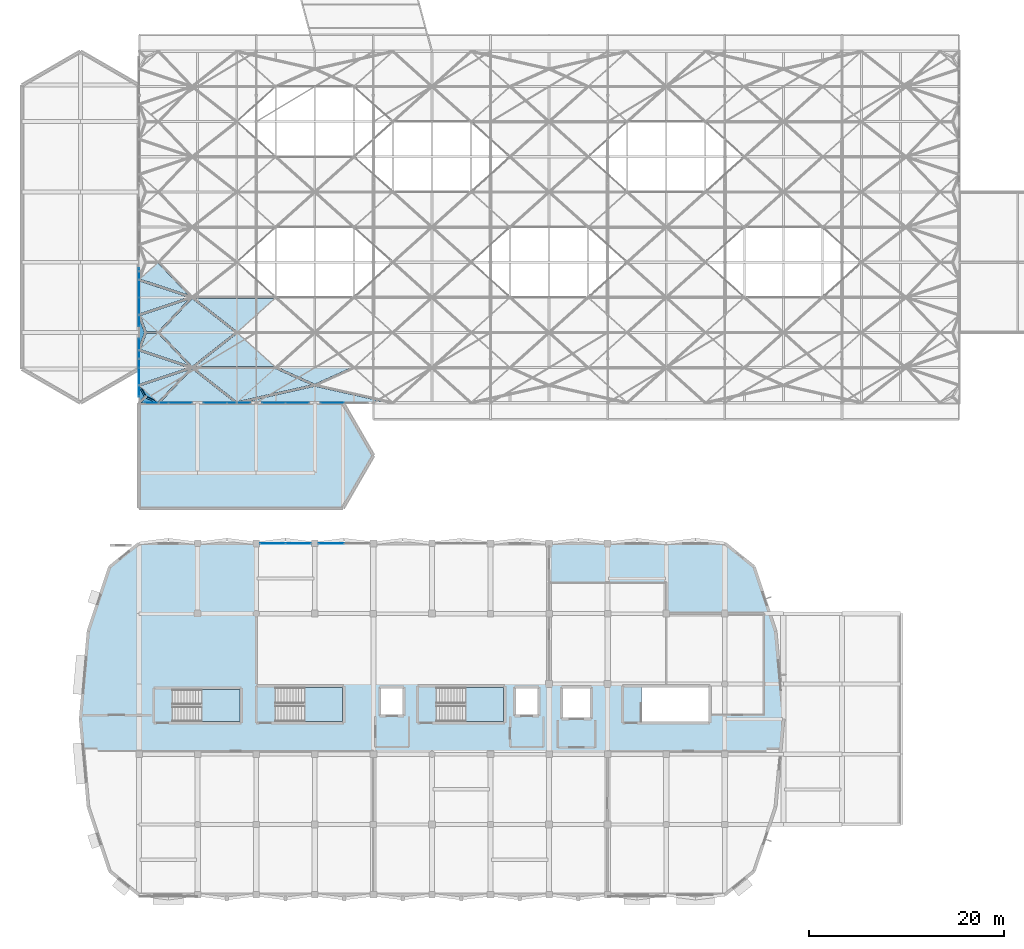
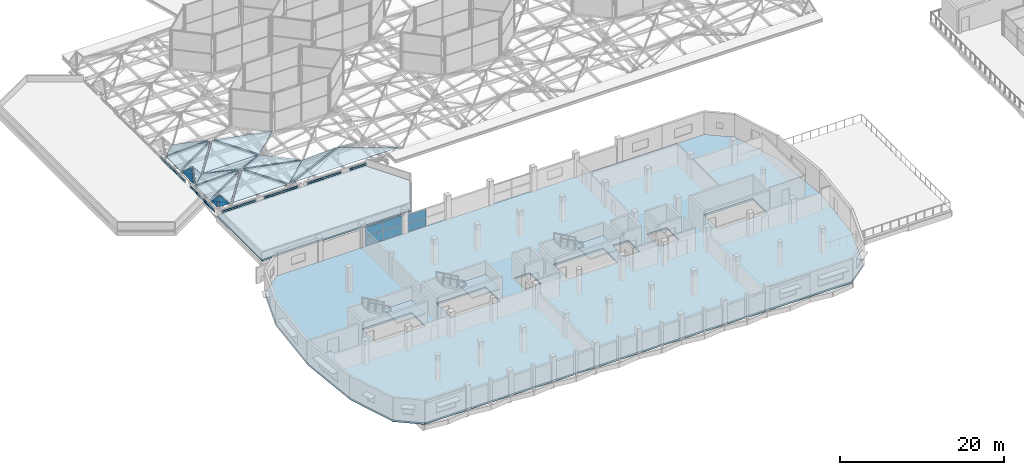
# One storey, part 209 of 239: 28 plates, 26 slabs, 11 elements without a shape of their own.
"""IFC4 building model written with IfcOpenShell, lengths in metres."""

from ifc_helpers import new_model, si_unit, direction, frame, origin, origin_2d, place, context, subcontext, project, spatial, polyline, rectangle, outline, extrude, material, layer, layer_set, type_object, element, aggregate, save


model = new_model("IFC4")

# Units and contexts
model_context = context("Model", 3, precision=1e-05, world=origin(), true_north=direction((0.0, 1.0)))
body_context = subcontext(model_context, "Body", "Model", "MODEL_VIEW")
ifc_project = project(units=[si_unit("LENGTHUNIT", "METRE"), si_unit("AREAUNIT", "SQUARE_METRE"), si_unit("VOLUMEUNIT", "CUBIC_METRE"), si_unit("PLANEANGLEUNIT", "RADIAN"), si_unit("MASSUNIT", "GRAM", prefix="KILO")], contexts=[model_context])

# Site, building, storey
site_placement = place(None, origin())
site = spatial("IfcSite", under=ifc_project, at=site_placement, CompositionType="ELEMENT")
building_placement = place(site_placement, origin())
building = spatial("IfcBuilding", under=site, at=building_placement, Name="Dunvalen Ferry Terminal", CompositionType="ELEMENT")
storey_placement = place(building_placement, frame((0.0, 0.0, 9.840087890625)))
storey = spatial("IfcBuildingStorey", under=building, at=storey_placement, Name="L02", CompositionType="ELEMENT", Elevation=9.840087890625)

# Curtain wall, plates
ifc_material_1 = material(Name="Anodised marine aluminium and solar-control glazing", Category="aluminium")
ifc_layer_1 = layer(ifc_material_1, 0.219970703125, Name="Anodised marine aluminium and solar-control glazing")
ifc_layer_set_1 = layer_set([ifc_layer_1], Name="Anodised marine aluminium and solar-control glazing")
curtain_wall_type_1 = type_object("IfcCurtainWallType", Name="ENV-CW-SYS-04", PredefinedType="NOTDEFINED", material=ifc_layer_set_1)
curtain_wall_1_placement = place(storey_placement, origin())
curtain_wall_1 = element("IfcCurtainWall", 1, at=curtain_wall_1_placement, inside=storey, type_object=curtain_wall_type_1, Name="L02 Curtain Wall CW-V1W-CLR-01", PredefinedType="NOTDEFINED")
ifc_material_2 = material(Name="Low-E solar-control laminated double glazing", Category="glass")
ifc_layer_2 = layer(ifc_material_2, 0.031982421875, Name="Low-E solar-control laminated double glazing")
ifc_layer_set_2 = layer_set([ifc_layer_2], Name="Low-E solar-control laminated double glazing")
plate_type = type_object("IfcPlateType", Name="ENV-CW-PNL-2", PredefinedType="CURTAIN_PANEL", material=ifc_layer_set_2)
plate_1_placement = place(storey_placement, frame((12.0, 52.4951171875, 0.2998046875), z_axis=(0.0, 0.0, 1.0), x_axis=(0.0, 1.0, 0.0)))
plate_1 = element("IfcPlate", 2, at=plate_1_placement, type_object=plate_type, Name="CW-04 panel 1.1", PredefinedType="CURTAIN_PANEL", context=body_context, shape_type="SweptSolid", body=[
    extrude(rectangle(XDim=2.949951171875, YDim=0.031982421875, at=origin_2d()), origin(), (0.0, 0.0, 1.0), 0.179931640625),
])
plate_2_placement = place(storey_placement, frame((12.0, 52.4951171875, 0.5400390625), z_axis=(0.0, 0.0, 1.0), x_axis=(0.0, 1.0, 0.0)))
plate_2 = element("IfcPlate", 3, at=plate_2_placement, type_object=plate_type, Name="CW-04 panel 1.2", PredefinedType="CURTAIN_PANEL", context=body_context, shape_type="SweptSolid", body=[
    extrude(rectangle(XDim=2.949951171875, YDim=0.031982421875, at=origin_2d()), origin(), (0.0, 0.0, 1.0), 0.179931640625),
])
plate_3_placement = place(storey_placement, frame((12.0, 55.5048828125, 0.2998046875), z_axis=(0.0, 0.0, 1.0), x_axis=(0.0, 1.0, 0.0)))
plate_3 = element("IfcPlate", 4, at=plate_3_placement, type_object=plate_type, Name="CW-04 panel 2.1", PredefinedType="CURTAIN_PANEL", context=body_context, shape_type="SweptSolid", body=[
    extrude(rectangle(XDim=2.949951171875, YDim=0.031982421875, at=origin_2d()), origin(), (0.0, 0.0, 1.0), 0.179931640625),
])
plate_4_placement = place(storey_placement, frame((12.0, 55.5048828125, 0.5400390625), z_axis=(0.0, 0.0, 1.0), x_axis=(0.0, 1.0, 0.0)))
plate_4 = element("IfcPlate", 5, at=plate_4_placement, type_object=plate_type, Name="CW-04 panel 2.2", PredefinedType="CURTAIN_PANEL", context=body_context, shape_type="SweptSolid", body=[
    extrude(rectangle(XDim=2.949951171875, YDim=0.031982421875, at=origin_2d()), origin(), (0.0, 0.0, 1.0), 0.179931640625),
])
aggregate(curtain_wall_1, [plate_1, plate_2, plate_3, plate_4])

curtain_wall_2_placement = place(storey_placement, origin())
curtain_wall_2 = element("IfcCurtainWall", 6, at=curtain_wall_2_placement, inside=storey, type_object=curtain_wall_type_1, Name="L02 Curtain Wall CW-V1W-CLR-02", PredefinedType="NOTDEFINED")
plate_5_placement = place(storey_placement, frame((12.0, 59.695068359375, 0.2998046875), z_axis=(0.0, 0.0, 1.0), x_axis=(0.0, 1.0, 0.0)))
plate_5 = element("IfcPlate", 7, at=plate_5_placement, type_object=plate_type, Name="CW-04 panel 1.1", PredefinedType="CURTAIN_PANEL", context=body_context, shape_type="SweptSolid", body=[
    extrude(rectangle(XDim=2.949951171875, YDim=0.031982421875, at=origin_2d()), origin(), (0.0, 0.0, 1.0), 0.179931640625),
])
plate_6_placement = place(storey_placement, frame((12.0, 59.695068359375, 0.5400390625), z_axis=(0.0, 0.0, 1.0), x_axis=(0.0, 1.0, 0.0)))
plate_6 = element("IfcPlate", 8, at=plate_6_placement, type_object=plate_type, Name="CW-04 panel 1.2", PredefinedType="CURTAIN_PANEL", context=body_context, shape_type="SweptSolid", body=[
    extrude(rectangle(XDim=2.949951171875, YDim=0.031982421875, at=origin_2d()), origin(), (0.0, 0.0, 1.0), 0.179931640625),
])
plate_7_placement = place(storey_placement, frame((12.0, 62.705078125, 0.2998046875), z_axis=(0.0, 0.0, 1.0), x_axis=(0.0, 1.0, 0.0)))
plate_7 = element("IfcPlate", 9, at=plate_7_placement, type_object=plate_type, Name="CW-04 panel 2.1", PredefinedType="CURTAIN_PANEL", context=body_context, shape_type="SweptSolid", body=[
    extrude(rectangle(XDim=2.949951171875, YDim=0.031982421875, at=origin_2d()), origin(), (0.0, 0.0, 1.0), 0.179931640625),
])
plate_8_placement = place(storey_placement, frame((12.0, 62.705078125, 0.5400390625), z_axis=(0.0, 0.0, 1.0), x_axis=(0.0, 1.0, 0.0)))
plate_8 = element("IfcPlate", 10, at=plate_8_placement, type_object=plate_type, Name="CW-04 panel 2.2", PredefinedType="CURTAIN_PANEL", context=body_context, shape_type="SweptSolid", body=[
    extrude(rectangle(XDim=2.949951171875, YDim=0.031982421875, at=origin_2d()), origin(), (0.0, 0.0, 1.0), 0.179931640625),
])
aggregate(curtain_wall_2, [plate_5, plate_6, plate_7, plate_8])

ifc_layer_3 = layer(ifc_material_1, 0.219970703125, Name="Anodised marine aluminium and solar-control glazing")
ifc_layer_set_3 = layer_set([ifc_layer_3], Name="Anodised marine aluminium and solar-control glazing")
curtain_wall_type_2 = type_object("IfcCurtainWallType", Name="ENV-CW-SYS-02", PredefinedType="NOTDEFINED", material=ifc_layer_set_3)
curtain_wall_3_placement = place(storey_placement, origin())
curtain_wall_3 = element("IfcCurtainWall", 11, at=curtain_wall_3_placement, inside=storey, type_object=curtain_wall_type_2, Name="L02 Curtain Wall CW-V1SW-CLR-01", PredefinedType="NOTDEFINED")
plate_9_placement = place(storey_placement, frame((13.794921875, 50.39990234375, 0.2998046875), z_axis=(0.0, 0.0, 1.0), x_axis=(1.0, 0.0, 0.0)))
plate_9 = element("IfcPlate", 12, at=plate_9_placement, type_object=plate_type, Name="CW-02 panel 1.1", PredefinedType="CURTAIN_PANEL", context=body_context, shape_type="SweptSolid", body=[
    extrude(rectangle(XDim=2.35009765625, YDim=0.031982421875, at=origin_2d()), origin(), (0.0, 0.0, 1.0), 0.179931640625),
])
plate_10_placement = place(storey_placement, frame((13.794921875, 50.39990234375, 0.5400390625), z_axis=(0.0, 0.0, 1.0), x_axis=(1.0, 0.0, 0.0)))
plate_10 = element("IfcPlate", 13, at=plate_10_placement, type_object=plate_type, Name="CW-02 panel 1.2", PredefinedType="CURTAIN_PANEL", context=body_context, shape_type="SweptSolid", body=[
    extrude(rectangle(XDim=2.35009765625, YDim=0.031982421875, at=origin_2d()), origin(), (0.0, 0.0, 1.0), 0.179931640625),
])
plate_11_placement = place(storey_placement, frame((16.205078125, 50.39990234375, 0.2998046875), z_axis=(0.0, 0.0, 1.0), x_axis=(1.0, 0.0, 0.0)))
plate_11 = element("IfcPlate", 14, at=plate_11_placement, type_object=plate_type, Name="CW-02 panel 2.1", PredefinedType="CURTAIN_PANEL", context=body_context, shape_type="SweptSolid", body=[
    extrude(rectangle(XDim=2.35009765625, YDim=0.031982421875, at=origin_2d()), origin(), (0.0, 0.0, 1.0), 0.179931640625),
])
plate_12_placement = place(storey_placement, frame((16.205078125, 50.39990234375, 0.5400390625), z_axis=(0.0, 0.0, 1.0), x_axis=(1.0, 0.0, 0.0)))
plate_12 = element("IfcPlate", 15, at=plate_12_placement, type_object=plate_type, Name="CW-02 panel 2.2", PredefinedType="CURTAIN_PANEL", context=body_context, shape_type="SweptSolid", body=[
    extrude(rectangle(XDim=2.35009765625, YDim=0.031982421875, at=origin_2d()), origin(), (0.0, 0.0, 1.0), 0.179931640625),
])
aggregate(curtain_wall_3, [plate_9, plate_10, plate_11, plate_12])

curtain_wall_4_placement = place(storey_placement, origin())
curtain_wall_4 = element("IfcCurtainWall", 16, at=curtain_wall_4_placement, inside=storey, type_object=curtain_wall_type_2, Name="L02 Curtain Wall CW-V1SW-CLR-02", PredefinedType="NOTDEFINED")
plate_13_placement = place(storey_placement, frame((19.794921875, 50.39990234375, 0.2998046875), z_axis=(0.0, 0.0, 1.0), x_axis=(1.0, 0.0, 0.0)))
plate_13 = element("IfcPlate", 17, at=plate_13_placement, type_object=plate_type, Name="CW-02 panel 1.1", PredefinedType="CURTAIN_PANEL", context=body_context, shape_type="SweptSolid", body=[
    extrude(rectangle(XDim=2.35009765625, YDim=0.031982421875, at=origin_2d()), origin(), (0.0, 0.0, 1.0), 0.179931640625),
])
plate_14_placement = place(storey_placement, frame((19.794921875, 50.39990234375, 0.5400390625), z_axis=(0.0, 0.0, 1.0), x_axis=(1.0, 0.0, 0.0)))
plate_14 = element("IfcPlate", 18, at=plate_14_placement, type_object=plate_type, Name="CW-02 panel 1.2", PredefinedType="CURTAIN_PANEL", context=body_context, shape_type="SweptSolid", body=[
    extrude(rectangle(XDim=2.35009765625, YDim=0.031982421875, at=origin_2d()), origin(), (0.0, 0.0, 1.0), 0.179931640625),
])
plate_15_placement = place(storey_placement, frame((22.205078125, 50.39990234375, 0.2998046875), z_axis=(0.0, 0.0, 1.0), x_axis=(1.0, 0.0, 0.0)))
plate_15 = element("IfcPlate", 19, at=plate_15_placement, type_object=plate_type, Name="CW-02 panel 2.1", PredefinedType="CURTAIN_PANEL", context=body_context, shape_type="SweptSolid", body=[
    extrude(rectangle(XDim=2.35009765625, YDim=0.031982421875, at=origin_2d()), origin(), (0.0, 0.0, 1.0), 0.179931640625),
])
plate_16_placement = place(storey_placement, frame((22.205078125, 50.39990234375, 0.5400390625), z_axis=(0.0, 0.0, 1.0), x_axis=(1.0, 0.0, 0.0)))
plate_16 = element("IfcPlate", 20, at=plate_16_placement, type_object=plate_type, Name="CW-02 panel 2.2", PredefinedType="CURTAIN_PANEL", context=body_context, shape_type="SweptSolid", body=[
    extrude(rectangle(XDim=2.35009765625, YDim=0.031982421875, at=origin_2d()), origin(), (0.0, 0.0, 1.0), 0.179931640625),
])
aggregate(curtain_wall_4, [plate_13, plate_14, plate_15, plate_16])

curtain_wall_5_placement = place(storey_placement, origin())
curtain_wall_5 = element("IfcCurtainWall", 21, at=curtain_wall_5_placement, inside=storey, type_object=curtain_wall_type_2, Name="L02 Curtain Wall CW-V1SW-CLR-03", PredefinedType="NOTDEFINED")
plate_17_placement = place(storey_placement, frame((25.794921875, 50.39990234375, 0.2998046875), z_axis=(0.0, 0.0, 1.0), x_axis=(1.0, 0.0, 0.0)))
plate_17 = element("IfcPlate", 22, at=plate_17_placement, type_object=plate_type, Name="CW-02 panel 1.1", PredefinedType="CURTAIN_PANEL", context=body_context, shape_type="SweptSolid", body=[
    extrude(rectangle(XDim=2.35009765625, YDim=0.031982421875, at=origin_2d()), origin(), (0.0, 0.0, 1.0), 0.179931640625),
])
plate_18_placement = place(storey_placement, frame((25.794921875, 50.39990234375, 0.5400390625), z_axis=(0.0, 0.0, 1.0), x_axis=(1.0, 0.0, 0.0)))
plate_18 = element("IfcPlate", 23, at=plate_18_placement, type_object=plate_type, Name="CW-02 panel 1.2", PredefinedType="CURTAIN_PANEL", context=body_context, shape_type="SweptSolid", body=[
    extrude(rectangle(XDim=2.35009765625, YDim=0.031982421875, at=origin_2d()), origin(), (0.0, 0.0, 1.0), 0.179931640625),
])
plate_19_placement = place(storey_placement, frame((28.205078125, 50.39990234375, 0.2998046875), z_axis=(0.0, 0.0, 1.0), x_axis=(1.0, 0.0, 0.0)))
plate_19 = element("IfcPlate", 24, at=plate_19_placement, type_object=plate_type, Name="CW-02 panel 2.1", PredefinedType="CURTAIN_PANEL", context=body_context, shape_type="SweptSolid", body=[
    extrude(rectangle(XDim=2.35009765625, YDim=0.031982421875, at=origin_2d()), origin(), (0.0, 0.0, 1.0), 0.179931640625),
])
plate_20_placement = place(storey_placement, frame((28.205078125, 50.39990234375, 0.5400390625), z_axis=(0.0, 0.0, 1.0), x_axis=(1.0, 0.0, 0.0)))
plate_20 = element("IfcPlate", 25, at=plate_20_placement, type_object=plate_type, Name="CW-02 panel 2.2", PredefinedType="CURTAIN_PANEL", context=body_context, shape_type="SweptSolid", body=[
    extrude(rectangle(XDim=2.35009765625, YDim=0.031982421875, at=origin_2d()), origin(), (0.0, 0.0, 1.0), 0.179931640625),
])
aggregate(curtain_wall_5, [plate_17, plate_18, plate_19, plate_20])

curtain_wall_6_placement = place(storey_placement, origin())
curtain_wall_6 = element("IfcCurtainWall", 26, at=curtain_wall_6_placement, inside=storey, type_object=curtain_wall_type_2, Name="L02 Curtain Wall CW-V1SW-CLR-04", PredefinedType="NOTDEFINED")
plate_21_placement = place(storey_placement, frame((31.794921875, 50.39990234375, 0.2998046875), z_axis=(0.0, 0.0, 1.0), x_axis=(1.0, 0.0, 0.0)))
plate_21 = element("IfcPlate", 27, at=plate_21_placement, type_object=plate_type, Name="CW-02 panel 1.1", PredefinedType="CURTAIN_PANEL", context=body_context, shape_type="SweptSolid", body=[
    extrude(rectangle(XDim=2.35009765625, YDim=0.031982421875, at=origin_2d()), origin(), (0.0, 0.0, 1.0), 0.179931640625),
])
plate_22_placement = place(storey_placement, frame((31.794921875, 50.39990234375, 0.5400390625), z_axis=(0.0, 0.0, 1.0), x_axis=(1.0, 0.0, 0.0)))
plate_22 = element("IfcPlate", 28, at=plate_22_placement, type_object=plate_type, Name="CW-02 panel 1.2", PredefinedType="CURTAIN_PANEL", context=body_context, shape_type="SweptSolid", body=[
    extrude(rectangle(XDim=2.35009765625, YDim=0.031982421875, at=origin_2d()), origin(), (0.0, 0.0, 1.0), 0.179931640625),
])
aggregate(curtain_wall_6, [plate_21, plate_22])

ifc_layer_4 = layer(ifc_material_1, 0.14990234375, Name="Anodised marine aluminium and solar-control glazing")
ifc_layer_set_4 = layer_set([ifc_layer_4], Name="Anodised marine aluminium and solar-control glazing")
curtain_wall_type_3 = type_object("IfcCurtainWallType", Name="ENV-CW-SYS-11", PredefinedType="NOTDEFINED", material=ifc_layer_set_4)
curtain_wall_7_placement = place(storey_placement, origin())
curtain_wall_7 = element("IfcCurtainWall", 29, at=curtain_wall_7_placement, inside=storey, type_object=curtain_wall_type_3, Name="L02 Curtain Wall CW-V5CORE-L02-7-6", PredefinedType="NOTDEFINED")
plate_23_placement = place(storey_placement, frame((31.69384765625, 36.0, 0.054931640625), z_axis=(0.0, 0.0, 1.0), x_axis=(-1.0, 0.0, 0.0)))
plate_23 = element("IfcPlate", 30, at=plate_23_placement, type_object=plate_type, Name="CW-11 panel 2.1", PredefinedType="CURTAIN_PANEL", context=body_context, shape_type="SweptSolid", body=[
    extrude(rectangle(XDim=2.5576171875, YDim=0.031982421875, at=origin_2d()), origin(), (0.0, 0.0, 1.0), 1.25244140625),
])
plate_24_placement = place(storey_placement, frame((31.69384765625, 36.0, 1.362548828125), z_axis=(0.0, 0.0, 1.0), x_axis=(-1.0, 0.0, 0.0)))
plate_24 = element("IfcPlate", 31, at=plate_24_placement, type_object=plate_type, Name="CW-11 panel 2.2", PredefinedType="CURTAIN_PANEL", context=body_context, shape_type="SweptSolid", body=[
    extrude(rectangle(XDim=2.5576171875, YDim=0.031982421875, at=origin_2d()), origin(), (0.0, 0.0, 1.0), 1.25244140625),
])
aggregate(curtain_wall_7, [plate_23, plate_24])

curtain_wall_8_placement = place(storey_placement, origin())
curtain_wall_8 = element("IfcCurtainWall", 32, at=curtain_wall_8_placement, inside=storey, type_object=curtain_wall_type_3, Name="L02 Curtain Wall CW-V5CORE-L02-7-7", PredefinedType="NOTDEFINED")
plate_25_placement = place(storey_placement, frame((28.30615234375, 36.0, 0.054931640625), z_axis=(0.0, 0.0, 1.0), x_axis=(-1.0, 0.0, 0.0)))
plate_25 = element("IfcPlate", 33, at=plate_25_placement, type_object=plate_type, Name="CW-11 panel 1.1", PredefinedType="CURTAIN_PANEL", context=body_context, shape_type="SweptSolid", body=[
    extrude(rectangle(XDim=2.5576171875, YDim=0.031982421875, at=origin_2d()), origin(), (0.0, 0.0, 1.0), 1.3525390625),
])
plate_26_placement = place(storey_placement, frame((28.30615234375, 36.0, 1.46240234375), z_axis=(0.0, 0.0, 1.0), x_axis=(-1.0, 0.0, 0.0)))
plate_26 = element("IfcPlate", 34, at=plate_26_placement, type_object=plate_type, Name="CW-11 panel 1.2", PredefinedType="CURTAIN_PANEL", context=body_context, shape_type="SweptSolid", body=[
    extrude(rectangle(XDim=2.5576171875, YDim=0.031982421875, at=origin_2d()), origin(), (0.0, 0.0, 1.0), 1.3525390625),
])
plate_27_placement = place(storey_placement, frame((25.69384765625, 36.0, 0.054931640625), z_axis=(0.0, 0.0, 1.0), x_axis=(-1.0, 0.0, 0.0)))
plate_27 = element("IfcPlate", 35, at=plate_27_placement, type_object=plate_type, Name="CW-11 panel 2.1", PredefinedType="CURTAIN_PANEL", context=body_context, shape_type="SweptSolid", body=[
    extrude(rectangle(XDim=2.5576171875, YDim=0.031982421875, at=origin_2d()), origin(), (0.0, 0.0, 1.0), 1.3525390625),
])
plate_28_placement = place(storey_placement, frame((25.69384765625, 36.0, 1.46240234375), z_axis=(0.0, 0.0, 1.0), x_axis=(-1.0, 0.0, 0.0)))
plate_28 = element("IfcPlate", 36, at=plate_28_placement, type_object=plate_type, Name="CW-11 panel 2.2", PredefinedType="CURTAIN_PANEL", context=body_context, shape_type="SweptSolid", body=[
    extrude(rectangle(XDim=2.5576171875, YDim=0.031982421875, at=origin_2d()), origin(), (0.0, 0.0, 1.0), 1.3525390625),
])
aggregate(curtain_wall_8, [plate_25, plate_26, plate_27, plate_28])

# Stair, slab
ifc_material_3 = material(Name="Concrete C35/45", Category="concrete")
stair_type_1 = type_object("IfcStairType", Name="INT-ST-DLG-06", PredefinedType="HALF_TURN_STAIR", material=ifc_material_3)
stair_1_placement = place(storey_placement, origin())
stair_1 = element("IfcStair", 37, at=stair_1_placement, inside=storey, type_object=stair_type_1, Name="L02 Protected Escape Stair 1", PredefinedType="HALF_TURN_STAIR")
ifc_layer_5 = layer(ifc_material_3, 0.199951171875, Name="Concrete C35/45")
ifc_layer_set_5 = layer_set([ifc_layer_5], Name="Concrete C35/45")
slab_type_1 = type_object("IfcSlabType", Name="INT-SLB-LND200", PredefinedType="LANDING", material=ifc_layer_set_5)
slab_1_placement = place(storey_placement, frame((0.0, 0.0, 1.669921875)))
slab_1 = element("IfcSlab", 38, at=slab_1_placement, type_object=slab_type_1, Name="ST1 landing 1", PredefinedType="LANDING", context=body_context, shape_type="SweptSolid", body=[
    extrude(outline(polyline([(28.949951171875, 17.75), (32.85009765625, 17.75), (32.85009765625, 21.25), (28.949951171875, 21.25), (28.949951171875, 17.75)])), origin(), (0.0, 0.0, 1.0), 0.199951171875),
])
aggregate(stair_1, [slab_1])

stair_2_placement = place(storey_placement, origin())
stair_2 = element("IfcStair", 39, at=stair_2_placement, inside=storey, type_object=stair_type_1, Name="L02 Protected Escape Stair 2", PredefinedType="HALF_TURN_STAIR")
slab_2_placement = place(storey_placement, frame((0.0, 0.0, 1.669921875)))
slab_2 = element("IfcSlab", 40, at=slab_2_placement, type_object=slab_type_1, Name="ST2 landing 1", PredefinedType="LANDING", context=body_context, shape_type="SweptSolid", body=[
    extrude(outline(polyline([(45.449951171875, 17.75), (49.35009765625, 17.75), (49.35009765625, 21.25), (45.449951171875, 21.25), (45.449951171875, 17.75)])), origin(), (0.0, 0.0, 1.0), 0.199951171875),
])
aggregate(stair_2, [slab_2])

stair_type_2 = type_object("IfcStairType", Name="INT-ST-DLG-03", PredefinedType="HALF_TURN_STAIR", material=ifc_material_3)
stair_3_placement = place(storey_placement, origin())
stair_3 = element("IfcStair", 41, at=stair_3_placement, inside=storey, type_object=stair_type_2, Name="L02 Protected Escape Stair 5", PredefinedType="HALF_TURN_STAIR")
slab_3_placement = place(storey_placement, frame((0.0, 0.0, 1.669921875)))
slab_3 = element("IfcSlab", 42, at=slab_3_placement, type_object=slab_type_1, Name="ST5 landing 1", PredefinedType="LANDING", context=body_context, shape_type="SweptSolid", body=[
    extrude(outline(polyline([(18.39990234375, 17.75), (22.35009765625, 17.75), (22.35009765625, 21.050048828125), (18.39990234375, 21.050048828125), (18.39990234375, 17.75)])), origin(), (0.0, 0.0, 1.0), 0.199951171875),
])
aggregate(stair_3, [slab_3])

# Slabs
ifc_material_4 = material(Name="Precast concrete C40/50 - Cerulean Sea Marine Enamel", Category="concrete")
ifc_layer_6 = layer(ifc_material_4, 0.179931640625, Name="Precast concrete C40/50 - Cerulean Sea Marine Enamel")
ifc_layer_set_6 = layer_set([ifc_layer_6], Name="Precast concrete C40/50 - Cerulean Sea Marine Enamel")
slab_type_2 = type_object("IfcSlabType", Name="STR-ROOF-HEX-CERULEAN", PredefinedType="ROOF", material=ifc_layer_set_6)
slab_4_placement = place(storey_placement, frame((12.169921875, 55.952880859375, 1.39697265625), z_axis=(0.590858891675, -0.656478676698, 0.468957905541), x_axis=(0.743278336005, 0.668982298141, 0.0)))
element("IfcSlab", 43, at=slab_4_placement, inside=storey, type_object=slab_type_2, Name="HEX-02 Sea-Roof Pyramid Facet 1", PredefinedType="ROOF", context=body_context, shape_type="SweptSolid", body=[
    extrude(outline(polyline([(0.0, 0.0), (2.3035222744793176, 1.1102230246251565e-16), (1.4546316358488256, 1.629224882080702), (0.0, 0.0)])), origin(), (0.0, 0.0, -1.0), 0.179931640625),
])
slab_5_placement = place(storey_placement, frame((13.882080078125, 57.7060546875, 1.39697265625), z_axis=(0.590858891675, 0.656478676698, 0.468957905541), x_axis=(-0.743278336005, 0.668982298141, 0.0)))
element("IfcSlab", 44, at=slab_5_placement, inside=storey, type_object=slab_type_2, Name="HEX-02 Sea-Roof Pyramid Facet 2", PredefinedType="ROOF", context=body_context, shape_type="SweptSolid", body=[
    extrude(outline(polyline([(0.0, 0.0), (2.3035222744793176, -1.1102230246251565e-16), (0.8488906386304923, 1.629224882080702), (0.0, 0.0)])), origin(), (0.0, 0.0, -1.0), 0.179931640625),
])
slab_6_placement = place(storey_placement, frame((12.0, 59.094970703125, 1.39697265625), z_axis=(-0.929404827064, 0.0, 0.3690618748), x_axis=(0.0, -1.0, 0.0)))
element("IfcSlab", 45, at=slab_6_placement, inside=storey, type_object=slab_type_2, Name="HEX-02 Sea-Roof Pyramid Facet 3", PredefinedType="ROOF", context=body_context, shape_type="SweptSolid", body=[
    extrude(outline(polyline([(0.0, 0.0), (2.989990234375, 0.0), (1.494873046875, 1.5009815858795355), (0.0, 0.0)])), origin(), (0.0, 0.0, -1.0), 0.179931640625),
])
slab_7_placement = place(storey_placement, frame((12.0, 62.887939453125, 1.39697265625), z_axis=(-0.295652877219, 0.0, 0.955295439219), x_axis=(0.0, -1.0, 0.0)))
element("IfcSlab", 46, at=slab_7_placement, inside=storey, type_object=slab_type_2, Name="HEX-08 Sea-Roof Pyramid Facet 1", PredefinedType="ROOF", context=body_context, shape_type="SweptSolid", body=[
    extrude(outline(polyline([(0.0, 0.0), (3.3759765625, 0.0), (1.68798828125, 5.330331127498515), (0.0, 0.0)])), origin(), (0.0, 0.0, -1.0), 0.179931640625),
])
slab_8_placement = place(storey_placement, frame((12.091064453125, 59.318115234375, 1.39697265625), z_axis=(-0.214282195465, -0.238038395585, 0.947322998208), x_axis=(0.743220180998, -0.669046906097, 0.0)))
element("IfcSlab", 47, at=slab_8_placement, inside=storey, type_object=slab_type_2, Name="HEX-08 Sea-Roof Pyramid Facet 2", PredefinedType="ROOF", context=body_context, shape_type="SweptSolid", body=[
    extrude(outline(polyline([(0.0, 0.0), (2.4620348466828865, -2.220446049250313e-16), (2.5897755974063705, 4.801557563065545), (0.0, 0.0)])), origin(), (0.0, 0.0, -1.0), 0.179931640625),
])
slab_9_placement = place(storey_placement, frame((14.14599609375, 57.60009765625, 1.39697265625), z_axis=(0.0, -0.422857435306, 0.906196220146), x_axis=(1.0, 0.0, 0.0)))
element("IfcSlab", 48, at=slab_9_placement, inside=storey, type_object=slab_type_2, Name="HEX-08 Sea-Roof Pyramid Facet 3", PredefinedType="ROOF", context=body_context, shape_type="SweptSolid", body=[
    extrude(outline(polyline([(0.0, 0.0), (7.68310546875, 0.0), (3.29296875, 3.8146121474878703), (0.0, 0.0)])), origin(), (0.0, 0.0, -1.0), 0.179931640625),
])
slab_10_placement = place(storey_placement, frame((22.080078125, 57.672119140625, 1.39697265625), z_axis=(0.188105839848, -0.209002015122, 0.959653245027), x_axis=(0.743287026378, 0.668972642504, 0.0)))
element("IfcSlab", 49, at=slab_10_placement, inside=storey, type_object=slab_type_2, Name="HEX-08 Sea-Roof Pyramid Facet 4", PredefinedType="ROOF", context=body_context, shape_type="SweptSolid", body=[
    extrude(outline(polyline([(0.0, 0.0), (5.115119487088382, 4.440892098500626e-16), (-0.9404195925568297, 5.679240761704702), (0.0, 0.0)])), origin(), (0.0, 0.0, -1.0), 0.179931640625),
])
slab_11_placement = place(storey_placement, frame((13.9208984375, 64.72900390625, 1.39697265625), z_axis=(-0.214272720285, 0.238063154245, 0.947318919864), x_axis=(-0.743269490538, -0.66899212584, 0.0)))
element("IfcSlab", 50, at=slab_11_placement, inside=storey, type_object=slab_type_2, Name="HEX-08 Sea-Roof Pyramid Facet 7", PredefinedType="ROOF", context=body_context, shape_type="SweptSolid", body=[
    extrude(outline(polyline([(0.0, 0.0), (2.461871511839899, 0.0), (-0.1282393313089241, 4.801376729288834), (0.0, 0.0)])), origin(), (0.0, 0.0, -1.0), 0.179931640625),
])
slab_12_placement = place(storey_placement, frame((22.48291015625, 50.39990234375, 1.39697265625), z_axis=(0.0, -0.682419756781, 0.730960515729), x_axis=(1.0, 0.0, 0.0)))
element("IfcSlab", 51, at=slab_12_placement, inside=storey, type_object=slab_type_2, Name="HEX-12 Sea-Roof Pyramid Facet 1", PredefinedType="ROOF", context=body_context, shape_type="SweptSolid", body=[
    extrude(outline(polyline([(0.0, 0.0), (15.0341796875, 0.0), (7.51708984375, 2.3136162254780874), (0.0, 0.0)])), origin(), (0.0, 0.0, -1.0), 0.179931640625),
])
slab_13_placement = place(storey_placement, frame((33.741943359375, 54.0, 1.39697265625), z_axis=(0.0, 0.68236733422, 0.731009453557), x_axis=(-1.0, 0.0, 0.0)))
element("IfcSlab", 52, at=slab_13_placement, inside=storey, type_object=slab_type_2, Name="HEX-12 Sea-Roof Pyramid Facet 3", PredefinedType="ROOF", context=body_context, shape_type="SweptSolid", body=[
    extrude(outline(polyline([(0.0, 0.0), (7.48388671875, 0.0), (3.741943359375, 2.3037759950385164), (0.0, 0.0)])), origin(), (0.0, 0.0, -1.0), 0.179931640625),
])
slab_14_placement = place(storey_placement, frame((25.9140625, 53.923095703125, 1.39697265625), z_axis=(-0.258237566601, 0.286903672136, 0.922496418481), x_axis=(-0.743262892479, -0.6689994564, 0.0)))
element("IfcSlab", 53, at=slab_14_placement, inside=storey, type_object=slab_type_2, Name="HEX-12 Sea-Roof Pyramid Facet 4", PredefinedType="ROOF", context=body_context, shape_type="SweptSolid", body=[
    extrude(outline(polyline([(0.0, 0.0), (5.049591290109644, 4.440892098500626e-16), (-1.659333482509861, 4.0826546327121624), (0.0, 0.0)])), origin(), (0.0, 0.0, -1.0), 0.179931640625),
])
ifc_material_5 = material(Name="Precast concrete C40/50 - Pale Sea-Mist Marine Enamel", Category="concrete")
ifc_layer_7 = layer(ifc_material_5, 0.169921875, Name="Precast concrete C40/50 - Pale Sea-Mist Marine Enamel")
ifc_layer_set_7 = layer_set([ifc_layer_7], Name="Precast concrete C40/50 - Pale Sea-Mist Marine Enamel")
slab_type_3 = type_object("IfcSlabType", Name="STR-ROOF-HEX-SEAMIST", PredefinedType="ROOF", material=ifc_layer_set_7)
slab_15_placement = place(storey_placement, frame((12.157958984375, 50.39990234375, 1.386962890625), z_axis=(0.0, -0.94170670353, 0.336434963295), x_axis=(1.0, 0.0, 0.0)))
element("IfcSlab", 54, at=slab_15_placement, inside=storey, type_object=slab_type_3, Name="HEX-01 Sea-Roof Pyramid Facet 1", PredefinedType="ROOF", context=body_context, shape_type="SweptSolid", body=[
    extrude(outline(polyline([(0.0, 0.0), (1.583984375, 0.0), (0.528076171875, 1.412153040209499), (0.0, 0.0)])), origin(), (0.0, 0.0, -1.0), 0.169921875),
])
slab_16_placement = place(storey_placement, frame((13.741943359375, 50.632080078125, 1.386962890625), z_axis=(0.646691164987, 0.718155860557, 0.256987737208), x_axis=(-0.74311357977, 0.669165306604, 0.0)))
element("IfcSlab", 55, at=slab_16_placement, inside=storey, type_object=slab_type_3, Name="HEX-01 Sea-Roof Pyramid Facet 2", PredefinedType="ROOF", context=body_context, shape_type="SweptSolid", body=[
    extrude(outline(polyline([(0.0, 0.0), (2.017219814452428, 5.551115123125783e-17), (1.0442052936540458, 1.3027877679605961), (0.0, 0.0)])), origin(), (0.0, 0.0, -1.0), 0.169921875),
])
slab_17_placement = place(storey_placement, frame((12.0, 51.98193359375, 1.386962890625), z_axis=(-0.929487033132, 0.0, 0.368854788825), x_axis=(0.0, -1.0, 0.0)))
element("IfcSlab", 56, at=slab_17_placement, inside=storey, type_object=slab_type_3, Name="HEX-01 Sea-Roof Pyramid Facet 3", PredefinedType="ROOF", context=body_context, shape_type="SweptSolid", body=[
    extrude(outline(polyline([(0.0, 0.0), (1.43896484375, 0.0), (0.9599609375, 1.4449018977698007), (0.0, 0.0)])), origin(), (0.0, 0.0, -1.0), 0.169921875),
])
slab_18_placement = place(storey_placement, frame((12.0, 55.68798828125, 1.386962890625), z_axis=(-0.295652877219, 0.0, 0.955295439219), x_axis=(0.0, -1.0, 0.0)))
element("IfcSlab", 57, at=slab_18_placement, inside=storey, type_object=slab_type_3, Name="HEX-07 Sea-Roof Pyramid Facet 1", PredefinedType="ROOF", context=body_context, shape_type="SweptSolid", body=[
    extrude(outline(polyline([(0.0, 0.0), (3.3759765625, 0.0), (1.68798828125, 5.330331127498515), (0.0, 0.0)])), origin(), (0.0, 0.0, -1.0), 0.169921875),
])
slab_19_placement = place(storey_placement, frame((12.091064453125, 52.117919921875, 1.386962890625), z_axis=(-0.214265048984, -0.238054631209, 0.947322796804), x_axis=(0.743269490538, -0.66899212584, 0.0)))
element("IfcSlab", 58, at=slab_19_placement, inside=storey, type_object=slab_type_3, Name="HEX-07 Sea-Roof Pyramid Facet 2", PredefinedType="ROOF", context=body_context, shape_type="SweptSolid", body=[
    extrude(outline(polyline([(0.0, 0.0), (2.461871511839899, -2.220446049250313e-16), (2.5899475149931, 4.801548632289756), (0.0, 0.0)])), origin(), (0.0, 0.0, -1.0), 0.169921875),
])
slab_20_placement = place(storey_placement, frame((14.14599609375, 50.39990234375, 1.386962890625), z_axis=(0.0, -0.422832911751, 0.906207663144), x_axis=(1.0, 0.0, 0.0)))
element("IfcSlab", 59, at=slab_20_placement, inside=storey, type_object=slab_type_3, Name="HEX-07 Sea-Roof Pyramid Facet 3", PredefinedType="ROOF", context=body_context, shape_type="SweptSolid", body=[
    extrude(outline(polyline([(0.0, 0.0), (7.68310546875, 0.0), (3.29296875, 3.8148333881963206), (0.0, 0.0)])), origin(), (0.0, 0.0, -1.0), 0.169921875),
])
slab_21_placement = place(storey_placement, frame((22.080078125, 50.471923828125, 1.386962890625), z_axis=(0.188106426033, -0.208987755769, 0.959656235547), x_axis=(0.743263293857, 0.668999010466, 0.0)))
element("IfcSlab", 60, at=slab_21_placement, inside=storey, type_object=slab_type_3, Name="HEX-07 Sea-Roof Pyramid Facet 4", PredefinedType="ROOF", context=body_context, shape_type="SweptSolid", body=[
    extrude(outline(polyline([(0.0, 0.0), (5.115282813706228, -4.440892098500626e-16), (-0.9400629177404323, 5.67944691384375), (0.0, 0.0)])), origin(), (0.0, 0.0, -1.0), 0.169921875),
])
slab_22_placement = place(storey_placement, frame((25.882080078125, 54.10595703125, 1.386962890625), z_axis=(0.188106426033, 0.208987755769, 0.959656235547), x_axis=(-0.743263293857, 0.668999010466, 0.0)))
element("IfcSlab", 61, at=slab_22_placement, inside=storey, type_object=slab_type_3, Name="HEX-07 Sea-Roof Pyramid Facet 5", PredefinedType="ROOF", context=body_context, shape_type="SweptSolid", body=[
    extrude(outline(polyline([(0.0, 0.0), (5.115282813706228, 4.440892098500626e-16), (6.0553457314466606, 5.67944691384375), (0.0, 0.0)])), origin(), (0.0, 0.0, -1.0), 0.169921875),
])
slab_23_placement = place(storey_placement, frame((21.8291015625, 57.60009765625, 1.386962890625), z_axis=(0.0, 0.422832911751, 0.906207663144), x_axis=(-1.0, 0.0, 0.0)))
element("IfcSlab", 62, at=slab_23_placement, inside=storey, type_object=slab_type_3, Name="HEX-07 Sea-Roof Pyramid Facet 6", PredefinedType="ROOF", context=body_context, shape_type="SweptSolid", body=[
    extrude(outline(polyline([(0.0, 0.0), (7.68310546875, 0.0), (4.39013671875, 3.8148333881963206), (0.0, 0.0)])), origin(), (0.0, 0.0, -1.0), 0.169921875),
])
slab_24_placement = place(storey_placement, frame((13.9208984375, 57.529052734375, 1.386962890625), z_axis=(-0.214265048984, 0.238054631209, 0.947322796804), x_axis=(-0.743269490538, -0.66899212584, 0.0)))
element("IfcSlab", 63, at=slab_24_placement, inside=storey, type_object=slab_type_3, Name="HEX-07 Sea-Roof Pyramid Facet 7", PredefinedType="ROOF", context=body_context, shape_type="SweptSolid", body=[
    extrude(outline(polyline([(0.0, 0.0), (2.461871511839899, 2.220446049250313e-16), (-0.1280760031532018, 4.801548632289756), (0.0, 0.0)])), origin(), (0.0, 0.0, -1.0), 0.169921875),
])
ifc_layer_8 = layer(ifc_material_3, 0.260009765625, Name="Concrete C35/45")
ifc_layer_set_8 = layer_set([ifc_layer_8], Name="Concrete C35/45")
slab_type_4 = type_object("IfcSlabType", Name="STR-SLB-FLR260", PredefinedType="FLOOR", material=ifc_layer_set_8)
slab_25_placement = place(storey_placement, frame((0.0, 0.0, -0.260009765625)))
element("IfcSlab", 64, at=slab_25_placement, inside=storey, type_object=slab_type_4, Name="L02 Maritime Operations Wing Floor Slab", PredefinedType="FLOOR", context=body_context, shape_type="SweptSolid", body=[
    extrude(outline(polyline([(12.0, 0.0), (72.0, 0.0), (75.0, 2.41162109375), (77.1962890625, 9.0), (78.0, 18.0), (77.1962890625, 27.0), (75.0, 33.58837890625), (72.0, 36.0), (12.0, 36.0), (9.0, 33.58837890625), (6.8037109375, 27.0), (6.0, 18.0), (6.8037109375, 9.0), (9.0, 2.41162109375), (12.0, 0.0)]), holes=[polyline([(25.949951171875, 17.75), (32.85009765625, 17.75), (32.85009765625, 21.25), (25.949951171875, 21.25), (25.949951171875, 17.75)]), polyline([(42.449951171875, 17.75), (49.35009765625, 17.75), (49.35009765625, 21.25), (42.449951171875, 21.25), (42.449951171875, 17.75)]), polyline([(63.449951171875, 17.75), (70.35009765625, 17.75), (70.35009765625, 21.25), (63.449951171875, 21.25), (63.449951171875, 17.75)]), polyline([(15.39990234375, 17.75), (22.35009765625, 17.75), (22.35009765625, 21.050048828125), (15.39990234375, 21.050048828125), (15.39990234375, 17.75)]), polyline([(36.800048828125, 18.449951171875), (39.0, 18.449951171875), (39.0, 21.14990234375), (36.800048828125, 21.14990234375), (36.800048828125, 18.449951171875)]), polyline([(50.60009765625, 18.449951171875), (52.800048828125, 18.449951171875), (52.800048828125, 21.14990234375), (50.60009765625, 21.14990234375), (50.60009765625, 18.449951171875)]), polyline([(55.39990234375, 18.14990234375), (58.199951171875, 18.14990234375), (58.199951171875, 21.14990234375), (55.39990234375, 21.14990234375), (55.39990234375, 18.14990234375)])]), origin(), (0.0, 0.0, 1.0), 0.260009765625),
])
ifc_material_6 = material(Name="Concrete C40/50", Category="concrete")
ifc_layer_9 = layer(ifc_material_6, 0.239990234375, Name="Concrete C40/50")
ifc_layer_set_9 = layer_set([ifc_layer_9], Name="Concrete C40/50")
slab_type_5 = type_object("IfcSlabType", Name="STR-SLB-RF240", PredefinedType="ROOF", material=ifc_layer_set_9)
slab_26_placement = place(storey_placement, origin())
element("IfcSlab", 65, at=slab_26_placement, inside=storey, type_object=slab_type_5, Name="L02 South-West Security Annex Roof Slab", PredefinedType="ROOF", context=body_context, shape_type="SweptSolid", body=[
    extrude(outline(polyline([(12.0, 39.60009765625), (32.88232421875, 39.60009765625), (36.0, 45.0), (32.88232421875, 50.39990234375), (12.0, 50.39990234375), (12.0, 39.60009765625)])), origin(), (0.0, 0.0, 1.0), 0.239990234375),
])

save(model, "model.ifc")
